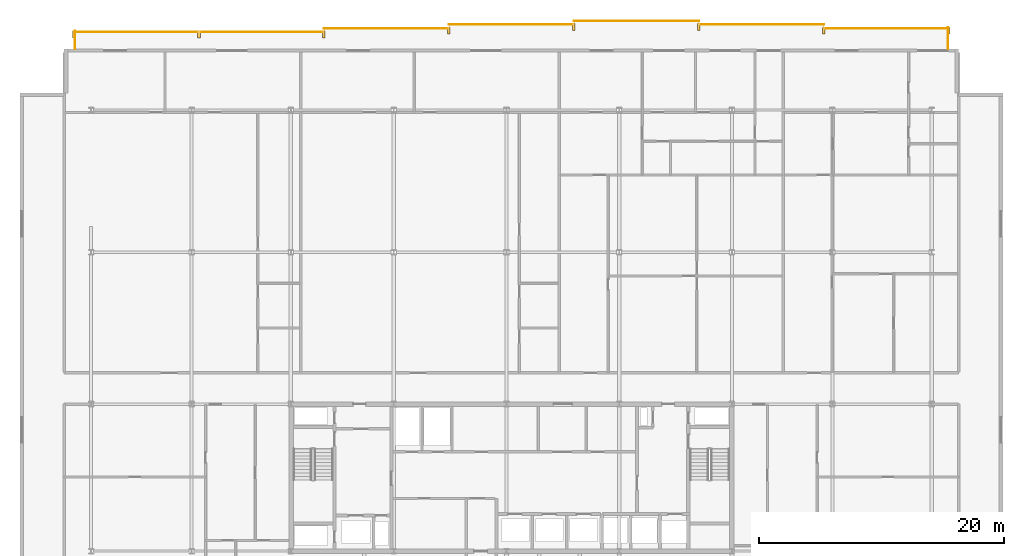
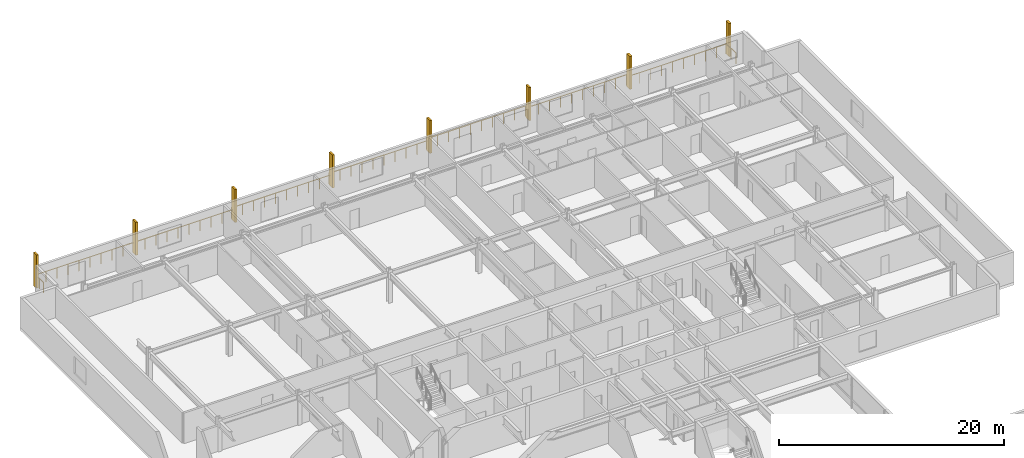
# One storey, part 36 of 36: 8 railings, 8 shading devices.
"""IFC4 building model written with IfcOpenShell, lengths in metres."""

from ifc_helpers import new_model, si_unit, direction, frame, origin, origin_2d, place, context, subcontext, project, spatial, rectangle, circle, extrude, material, type_object, element, save


model = new_model("IFC4")

# Units and contexts
model_context = context("Model", 3, precision=1e-05, world=origin(), true_north=direction((0.0, 1.0)))
body_context = subcontext(model_context, "Body", "Model", "MODEL_VIEW")
ifc_project = project(units=[si_unit("LENGTHUNIT", "METRE"), si_unit("AREAUNIT", "SQUARE_METRE"), si_unit("VOLUMEUNIT", "CUBIC_METRE"), si_unit("PLANEANGLEUNIT", "RADIAN"), si_unit("MASSUNIT", "GRAM", prefix="KILO")], contexts=[model_context])

# Site, building, storey
site_placement = place(None, origin())
site = spatial("IfcSite", under=ifc_project, at=site_placement, CompositionType="ELEMENT")
building_placement = place(site_placement, origin())
building = spatial("IfcBuilding", under=site, at=building_placement, Name="Korimba Cascade Residences", CompositionType="ELEMENT")
storey_placement = place(building_placement, frame((0.0, 0.0, 146.5)))
storey = spatial("IfcBuildingStorey", under=building, at=storey_placement, Name="L42", CompositionType="ELEMENT", Elevation=146.5)

# Railings
ifc_material_1 = material(Name="Laminated Glass and Bronze Balustrade", Category="glass")
railing_type = type_object("IfcRailingType", Name="RLG-LOG-1150", PredefinedType="BALUSTRADE", material=ifc_material_1)
railing_1_placement = place(storey_placement, frame((129.719970703125, 96.199951171875, 0.0)))
element("IfcRailing", 1, at=railing_1_placement, inside=storey, type_object=railing_type, Name="L42 Perimeter Guardrail RLG-L42-T1-LOG-01", PredefinedType="BALUSTRADE", context=body_context, shape_type="SweptSolid", body=[
    extrude(circle(Radius=0.02392578125, at=origin_2d()), frame((0.0, 0.0, 1.1259765625), z_axis=(0.0, 1.0, 0.0), x_axis=(-1.0, 0.0, 0.0)), (0.0, 0.0, 1.0), 1.75),
    extrude(circle(Radius=0.02099609375, at=origin_2d()), origin(), (0.0, 0.0, 1.0), 1.101806640625),
    extrude(circle(Radius=0.02099609375, at=origin_2d()), frame((0.0, 0.875, 0.0)), (0.0, 0.0, 1.0), 1.101806640625),
    extrude(circle(Radius=0.02099609375, at=origin_2d()), frame((0.0, 1.75, 0.0)), (0.0, 0.0, 1.0), 1.101806640625),
])
railing_2_placement = place(storey_placement, frame((129.800048828125, 97.8701171875, 0.0)))
element("IfcRailing", 2, at=railing_2_placement, inside=storey, type_object=railing_type, Name="L42 Perimeter Guardrail RLG-L42-T1-LOG-02", PredefinedType="BALUSTRADE", context=body_context, shape_type="SweptSolid", body=[
    extrude(circle(Radius=0.02392578125, at=origin_2d()), frame((0.0, 0.0, 1.1259765625), z_axis=(-1.0, 0.0, 0.0), x_axis=(0.0, -1.0, 0.0)), (0.0, 0.0, 1.0), 10.199951171875),
    extrude(circle(Radius=0.02099609375, at=origin_2d()), origin(), (0.0, 0.0, 1.0), 1.101806640625),
    extrude(circle(Radius=0.02099609375, at=origin_2d()), frame((-1.13330078125, 0.0, 0.0)), (0.0, 0.0, 1.0), 1.101806640625),
    extrude(circle(Radius=0.02099609375, at=origin_2d()), frame((-2.2666015625, 0.0, 0.0)), (0.0, 0.0, 1.0), 1.101806640625),
    extrude(circle(Radius=0.02099609375, at=origin_2d()), frame((-3.39990234375, 0.0, 0.0)), (0.0, 0.0, 1.0), 1.101806640625),
    extrude(circle(Radius=0.02099609375, at=origin_2d()), frame((-4.533203125, 0.0, 0.0)), (0.0, 0.0, 1.0), 1.101806640625),
    extrude(circle(Radius=0.02099609375, at=origin_2d()), frame((-5.666748046875, 0.0, 0.0)), (0.0, 0.0, 1.0), 1.101806640625),
    extrude(circle(Radius=0.02099609375, at=origin_2d()), frame((-6.800048828125, 0.0, 0.0)), (0.0, 0.0, 1.0), 1.101806640625),
    extrude(circle(Radius=0.02099609375, at=origin_2d()), frame((-7.933349609375, 0.0, 0.0)), (0.0, 0.0, 1.0), 1.101806640625),
    extrude(circle(Radius=0.02099609375, at=origin_2d()), frame((-9.066650390625, 0.0, 0.0)), (0.0, 0.0, 1.0), 1.101806640625),
    extrude(circle(Radius=0.02099609375, at=origin_2d()), frame((-10.199951171875, 0.0, 0.0)), (0.0, 0.0, 1.0), 1.101806640625),
])
railing_3_placement = place(storey_placement, frame((119.60009765625, 98.169921875, 0.0)))
element("IfcRailing", 3, at=railing_3_placement, inside=storey, type_object=railing_type, Name="L42 Perimeter Guardrail RLG-L42-T1-LOG-03", PredefinedType="BALUSTRADE", context=body_context, shape_type="SweptSolid", body=[
    extrude(circle(Radius=0.02392578125, at=origin_2d()), frame((0.0, 0.0, 1.1259765625), z_axis=(-1.0, 0.0, 0.0), x_axis=(0.0, -1.0, 0.0)), (0.0, 0.0, 1.0), 10.2001953125),
    extrude(circle(Radius=0.02099609375, at=origin_2d()), origin(), (0.0, 0.0, 1.0), 1.101806640625),
    extrude(circle(Radius=0.02099609375, at=origin_2d()), frame((-1.13330078125, 0.0, 0.0)), (0.0, 0.0, 1.0), 1.101806640625),
    extrude(circle(Radius=0.02099609375, at=origin_2d()), frame((-2.2666015625, 0.0, 0.0)), (0.0, 0.0, 1.0), 1.101806640625),
    extrude(circle(Radius=0.02099609375, at=origin_2d()), frame((-3.400146484375, 0.0, 0.0)), (0.0, 0.0, 1.0), 1.101806640625),
    extrude(circle(Radius=0.02099609375, at=origin_2d()), frame((-4.533447265625, 0.0, 0.0)), (0.0, 0.0, 1.0), 1.101806640625),
    extrude(circle(Radius=0.02099609375, at=origin_2d()), frame((-5.666748046875, 0.0, 0.0)), (0.0, 0.0, 1.0), 1.101806640625),
    extrude(circle(Radius=0.02099609375, at=origin_2d()), frame((-6.800048828125, 0.0, 0.0)), (0.0, 0.0, 1.0), 1.101806640625),
    extrude(circle(Radius=0.02099609375, at=origin_2d()), frame((-7.93359375, 0.0, 0.0)), (0.0, 0.0, 1.0), 1.101806640625),
    extrude(circle(Radius=0.02099609375, at=origin_2d()), frame((-9.06689453125, 0.0, 0.0)), (0.0, 0.0, 1.0), 1.101806640625),
    extrude(circle(Radius=0.02099609375, at=origin_2d()), frame((-10.2001953125, 0.0, 0.0)), (0.0, 0.0, 1.0), 1.101806640625),
])
for number, where, name in (
    (4, (109.39990234375, 98.469970703125, 0.0), "L42 Perimeter Guardrail RLG-L42-T1-LOG-04"),
    (5, (99.199951171875, 98.169921875, 0.0), "L42 Perimeter Guardrail RLG-L42-T1-LOG-05"),
    (6, (89.0, 97.8701171875, 0.0), "L42 Perimeter Guardrail RLG-L42-T1-LOG-06"),
):
    element("IfcRailing", number, at=place(storey_placement, frame(where)), inside=storey, type_object=railing_type, Name=name, PredefinedType="BALUSTRADE", context=body_context, shape_type="SweptSolid", body=[
        extrude(circle(Radius=0.02392578125, at=origin_2d()), frame((0.0, 0.0, 1.1259765625), z_axis=(-1.0, 0.0, 0.0), x_axis=(0.0, -1.0, 0.0)), (0.0, 0.0, 1.0), 10.199951171875),
        extrude(circle(Radius=0.02099609375, at=origin_2d()), origin(), (0.0, 0.0, 1.0), 1.101806640625),
        extrude(circle(Radius=0.02099609375, at=origin_2d()), frame((-1.13330078125, 0.0, 0.0)), (0.0, 0.0, 1.0), 1.101806640625),
        extrude(circle(Radius=0.02099609375, at=origin_2d()), frame((-2.2666015625, 0.0, 0.0)), (0.0, 0.0, 1.0), 1.101806640625),
        extrude(circle(Radius=0.02099609375, at=origin_2d()), frame((-3.39990234375, 0.0, 0.0)), (0.0, 0.0, 1.0), 1.101806640625),
        extrude(circle(Radius=0.02099609375, at=origin_2d()), frame((-4.533203125, 0.0, 0.0)), (0.0, 0.0, 1.0), 1.101806640625),
        extrude(circle(Radius=0.02099609375, at=origin_2d()), frame((-5.666748046875, 0.0, 0.0)), (0.0, 0.0, 1.0), 1.101806640625),
        extrude(circle(Radius=0.02099609375, at=origin_2d()), frame((-6.800048828125, 0.0, 0.0)), (0.0, 0.0, 1.0), 1.101806640625),
        extrude(circle(Radius=0.02099609375, at=origin_2d()), frame((-7.933349609375, 0.0, 0.0)), (0.0, 0.0, 1.0), 1.101806640625),
        extrude(circle(Radius=0.02099609375, at=origin_2d()), frame((-9.066650390625, 0.0, 0.0)), (0.0, 0.0, 1.0), 1.101806640625),
        extrude(circle(Radius=0.02099609375, at=origin_2d()), frame((-10.199951171875, 0.0, 0.0)), (0.0, 0.0, 1.0), 1.101806640625),
    ])
railing_4_placement = place(storey_placement, frame((78.800048828125, 97.570068359375, 0.0)))
element("IfcRailing", 7, at=railing_4_placement, inside=storey, type_object=railing_type, Name="L42 Perimeter Guardrail RLG-L42-T1-LOG-07", PredefinedType="BALUSTRADE", context=body_context, shape_type="SweptSolid", body=[
    extrude(circle(Radius=0.02392578125, at=origin_2d()), frame((0.0, 0.0, 1.1259765625), z_axis=(-1.0, 0.0, 0.0), x_axis=(0.0, -1.0, 0.0)), (0.0, 0.0, 1.0), 20.400146484375),
    extrude(circle(Radius=0.02099609375, at=origin_2d()), origin(), (0.0, 0.0, 1.0), 1.101806640625),
    extrude(circle(Radius=0.02099609375, at=origin_2d()), frame((-1.13330078125, 0.0, 0.0)), (0.0, 0.0, 1.0), 1.101806640625),
    extrude(circle(Radius=0.02099609375, at=origin_2d()), frame((-2.2666015625, 0.0, 0.0)), (0.0, 0.0, 1.0), 1.101806640625),
    extrude(circle(Radius=0.02099609375, at=origin_2d()), frame((-3.39990234375, 0.0, 0.0)), (0.0, 0.0, 1.0), 1.101806640625),
    extrude(circle(Radius=0.02099609375, at=origin_2d()), frame((-4.533447265625, 0.0, 0.0)), (0.0, 0.0, 1.0), 1.101806640625),
    extrude(circle(Radius=0.02099609375, at=origin_2d()), frame((-5.666748046875, 0.0, 0.0)), (0.0, 0.0, 1.0), 1.101806640625),
    extrude(circle(Radius=0.02099609375, at=origin_2d()), frame((-6.800048828125, 0.0, 0.0)), (0.0, 0.0, 1.0), 1.101806640625),
    extrude(circle(Radius=0.02099609375, at=origin_2d()), frame((-7.933349609375, 0.0, 0.0)), (0.0, 0.0, 1.0), 1.101806640625),
    extrude(circle(Radius=0.02099609375, at=origin_2d()), frame((-9.066650390625, 0.0, 0.0)), (0.0, 0.0, 1.0), 1.101806640625),
    extrude(circle(Radius=0.02099609375, at=origin_2d()), frame((-10.2001953125, 0.0, 0.0)), (0.0, 0.0, 1.0), 1.101806640625),
    extrude(circle(Radius=0.02099609375, at=origin_2d()), frame((-11.33349609375, 0.0, 0.0)), (0.0, 0.0, 1.0), 1.101806640625),
    extrude(circle(Radius=0.02099609375, at=origin_2d()), frame((-12.466796875, 0.0, 0.0)), (0.0, 0.0, 1.0), 1.101806640625),
    extrude(circle(Radius=0.02099609375, at=origin_2d()), frame((-13.60009765625, 0.0, 0.0)), (0.0, 0.0, 1.0), 1.101806640625),
    extrude(circle(Radius=0.02099609375, at=origin_2d()), frame((-14.7333984375, 0.0, 0.0)), (0.0, 0.0, 1.0), 1.101806640625),
    extrude(circle(Radius=0.02099609375, at=origin_2d()), frame((-15.86669921875, 0.0, 0.0)), (0.0, 0.0, 1.0), 1.101806640625),
    extrude(circle(Radius=0.02099609375, at=origin_2d()), frame((-17.0, 0.0, 0.0)), (0.0, 0.0, 1.0), 1.101806640625),
    extrude(circle(Radius=0.02099609375, at=origin_2d()), frame((-18.133544921875, 0.0, 0.0)), (0.0, 0.0, 1.0), 1.101806640625),
    extrude(circle(Radius=0.02099609375, at=origin_2d()), frame((-19.266845703125, 0.0, 0.0)), (0.0, 0.0, 1.0), 1.101806640625),
    extrude(circle(Radius=0.02099609375, at=origin_2d()), frame((-20.400146484375, 0.0, 0.0)), (0.0, 0.0, 1.0), 1.101806640625),
])
railing_5_placement = place(storey_placement, frame((58.47998046875, 97.64990234375, 0.0)))
element("IfcRailing", 8, at=railing_5_placement, inside=storey, type_object=railing_type, Name="L42 Perimeter Guardrail RLG-L42-T1-LOG-08", PredefinedType="BALUSTRADE", context=body_context, shape_type="SweptSolid", body=[
    extrude(circle(Radius=0.02392578125, at=origin_2d()), frame((0.0, 0.0, 1.1259765625), z_axis=(0.0, -1.0, 0.0), x_axis=(1.0, 0.0, 0.0)), (0.0, 0.0, 1.0), 1.449951171875),
    extrude(circle(Radius=0.02099609375, at=origin_2d()), origin(), (0.0, 0.0, 1.0), 1.101806640625),
    extrude(circle(Radius=0.02099609375, at=origin_2d()), frame((0.0, -0.72509765625, 0.0)), (0.0, 0.0, 1.0), 1.101806640625),
    extrude(circle(Radius=0.02099609375, at=origin_2d()), frame((0.0, -1.449951171875, 0.0)), (0.0, 0.0, 1.0), 1.101806640625),
])

# Shading devices
ifc_material_2 = material(Name="Honed Sandstone Precast Fin", Category="masonry")
shading_device_type = type_object("IfcShadingDeviceType", Name="SHD-FIN-550", PredefinedType="USERDEFINED", material=ifc_material_2)
for number, where, z_axis, x_axis, name in (
    (9, (58.39990234375, 97.375, 0.0), (0.0, 0.0, 1.0), (1.0, 0.0, 0.0), "L42 T1 Warm-Stone Loggia Fin 1"),
    (10, (68.60009765625, 97.375, 0.0), (0.0, 0.0, 1.0), (1.0, 0.0, 0.0), "L42 T1 Warm-Stone Loggia Fin 2"),
    (11, (78.800048828125, 97.375, 0.0), (0.0, 0.0, 1.0), (1.0, 0.0, 0.0), "L42 T1 Warm-Stone Loggia Fin 3"),
    (12, (89.0, 97.675048828125, 0.0), (0.0, 0.0, 1.0), (1.0, 0.0, 0.0), "L42 T1 Warm-Stone Loggia Fin 4"),
    (13, (99.199951171875, 97.97509765625, 0.0), (0.0, 0.0, 1.0), (1.0, 0.0, 0.0), "L42 T1 Warm-Stone Loggia Fin 5"),
    (14, (109.39990234375, 97.97509765625, 0.0), (0.0, 0.0, 1.0), (1.0, 0.0, 0.0), "L42 T1 Warm-Stone Loggia Fin 6"),
    (15, (119.60009765625, 97.675048828125, 0.0), (0.0, 0.0, 1.0), (1.0, 0.0, 0.0), "L42 T1 Warm-Stone Loggia Fin 7"),
    (16, (129.800048828125, 97.675048828125, 0.0), (0.0, 0.0, 1.0), (1.0, 0.0, 0.0), "L42 T1 Warm-Stone Loggia Fin 8"),
):
    element("IfcShadingDevice", number, at=place(storey_placement, frame(where, z_axis=z_axis, x_axis=x_axis)), inside=storey, type_object=shading_device_type, Name=name, ObjectType="FIN", PredefinedType="USERDEFINED", context=body_context, shape_type="SweptSolid", body=[
        extrude(rectangle(XDim=0.219970703125, YDim=0.550048828125, at=origin_2d()), origin(), (0.0, 0.0, 1.0), 3.60009765625),
    ])

save(model, "model.ifc")
